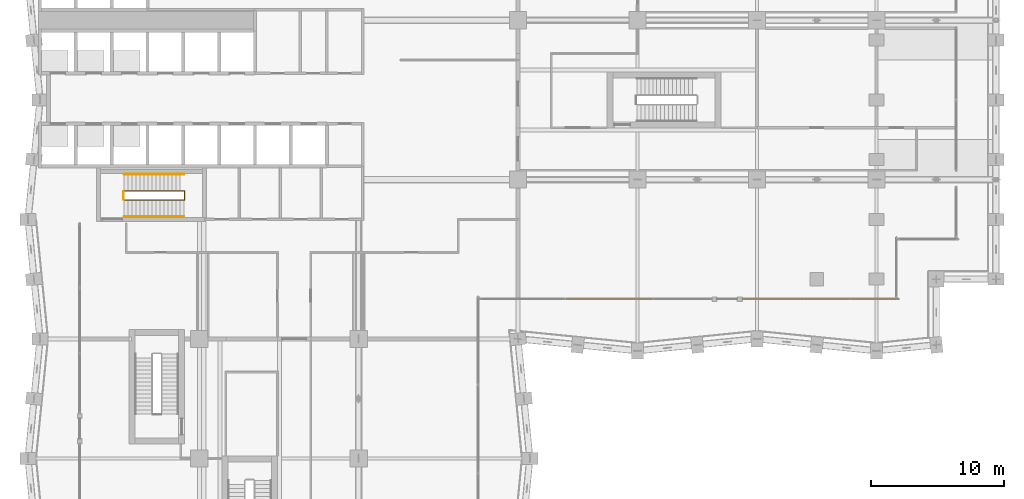
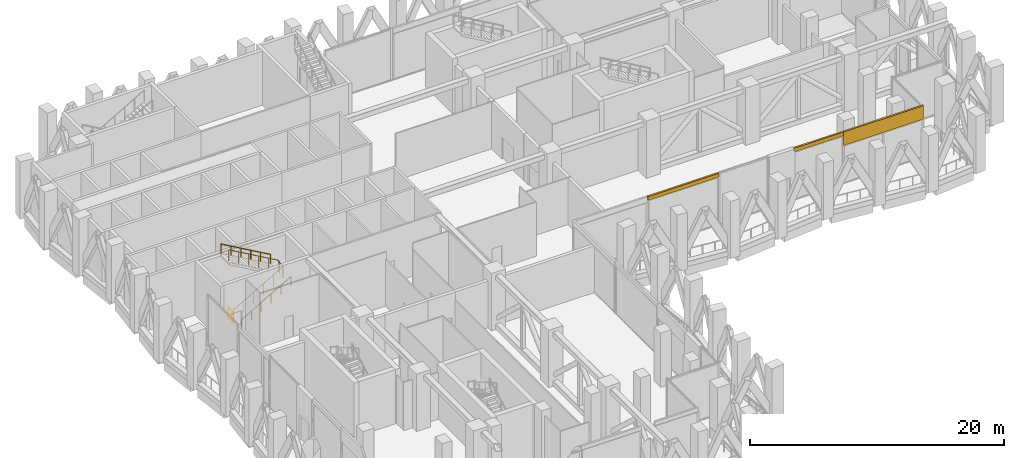
# One storey, part 34 of 37: 4 railings, 3 coverings.
"""IFC4 building model written with IfcOpenShell, lengths in metres."""

from ifc_helpers import new_model, si_unit, direction, frame, origin, origin_2d, place, context, subcontext, project, spatial, rectangle, circle, extrude, material, layer, layer_set, type_object, element, save


model = new_model("IFC4")

# Units and contexts
model_context = context("Model", 3, precision=1e-05, world=origin(), true_north=direction((0.0, 1.0)))
body_context = subcontext(model_context, "Body", "Model", "MODEL_VIEW")
ifc_project = project(units=[si_unit("LENGTHUNIT", "METRE"), si_unit("AREAUNIT", "SQUARE_METRE"), si_unit("VOLUMEUNIT", "CUBIC_METRE"), si_unit("PLANEANGLEUNIT", "RADIAN"), si_unit("MASSUNIT", "GRAM", prefix="KILO")], contexts=[model_context])

# Site, building, storey
site_placement = place(None, origin())
site = spatial("IfcSite", under=ifc_project, at=site_placement, CompositionType="ELEMENT")
building_placement = place(site_placement, origin())
building = spatial("IfcBuilding", under=site, at=building_placement, Name="Brondeck Convention Tower", CompositionType="ELEMENT")
storey_placement = place(building_placement, frame((0.0, 0.0, 137.89990234375)))
storey = spatial("IfcBuildingStorey", under=building, at=storey_placement, Name="L33", CompositionType="ELEMENT", Elevation=137.89990234375)

# Coverings
ifc_material_1 = material(Name="Aluminium, bronze anodised", Category="aluminium")
ifc_layer = layer(ifc_material_1, 0.10009765625)
ifc_layer_set = layer_set([ifc_layer], Name="Curtain wall spandrel panel, bronze anodised aluminium")
covering_type = type_object("IfcCoveringType", Name="Curtain wall spandrel panel, bronze anodised aluminium", PredefinedType="CLADDING", material=ifc_layer_set)
covering_1_placement = place(storey_placement, frame((42.876953125, 30.0, 4.650146484375), z_axis=(0.0, 0.0, 1.0), x_axis=(-1.0, 0.0, 0.0)))
element("IfcCovering", 1, at=covering_1_placement, inside=storey, type_object=covering_type, Name="ENV-L33-012-CW31-SP", PredefinedType="CLADDING", context=body_context, shape_type="SweptSolid", body=[
    extrude(rectangle(XDim=6.446044921875, YDim=0.159912109375, at=origin_2d()), origin(), (0.0, 0.0, 1.0), 0.35009765625),
])
covering_2_placement = place(storey_placement, frame((55.14990234375, 30.0, 4.650146484375), z_axis=(0.0, 0.0, 1.0), x_axis=(-1.0, 0.0, 0.0)))
element("IfcCovering", 2, at=covering_2_placement, inside=storey, type_object=covering_type, Name="ENV-L33-015-CW30-SP", PredefinedType="CLADDING", context=body_context, shape_type="SweptSolid", body=[
    extrude(rectangle(XDim=4.5, YDim=0.159912109375, at=origin_2d()), origin(), (0.0, 0.0, 1.0), 0.35009765625),
])
covering_3_placement = place(storey_placement, frame((61.02490234375, 30.0, 3.7001953125), z_axis=(0.0, 0.0, 1.0), x_axis=(-1.0, 0.0, 0.0)))
element("IfcCovering", 3, at=covering_3_placement, inside=storey, type_object=covering_type, Name="ENV-L33-016-CW30-SP", PredefinedType="CLADDING", context=body_context, shape_type="SweptSolid", body=[
    extrude(rectangle(XDim=7.25, YDim=0.159912109375, at=origin_2d()), origin(), (0.0, 0.0, 1.0), 1.300048828125),
])

# Railings
ifc_material_2 = material(Name="Steel S355", Category="steel")
railing_type_1 = type_object("IfcRailingType", Name="Stair guard 1100", PredefinedType="GUARDRAIL", material=ifc_material_2)
railing_1_placement = place(storey_placement, frame((6.35009765625, 37.449951171875, 0.171875)))
element("IfcRailing", 4, at=railing_1_placement, inside=storey, type_object=railing_type_1, Name="L33 ST-1 stair guard 1", PredefinedType="GUARDRAIL", context=body_context, shape_type="SweptSolid", body=[
    extrude(circle(Radius=0.02392578125, at=origin_2d()), frame((0.0, 0.0, 1.076171875), z_axis=(0.867686387293, 0.0, 0.49711199272), x_axis=(0.0, 1.0, 0.0)), (0.0, 0.0, 1.0), 5.186279296875),
    extrude(circle(Radius=0.02392578125, at=origin_2d()), frame((4.5, 0.0, 3.654296875), z_axis=(0.705375805398, 0.708833529934, 0.0), x_axis=(-0.708833529934, 0.705375805398, 0.0)), (0.0, 0.0, 1.0), 0.070556640625),
    extrude(circle(Radius=0.02392578125, at=origin_2d()), frame((4.5498046875, 0.050048828125, 3.654296875), z_axis=(0.0, 1.0, 0.0), x_axis=(-1.0, 0.0, 0.0)), (0.0, 0.0, 1.0), 0.60009765625),
    extrude(circle(Radius=0.02392578125, at=origin_2d()), frame((4.5498046875, 0.650146484375, 3.654296875), z_axis=(-0.268131537743, 0.268131537743, 0.92531667927), x_axis=(-0.707106781187, -0.707106781187, 0.0)), (0.0, 0.0, 1.0), 0.185791015625),
    extrude(circle(Radius=0.02392578125, at=origin_2d()), frame((4.5, 0.699951171875, 3.826171875), z_axis=(-0.867686387293, 0.0, 0.49711199272), x_axis=(0.0, -1.0, 0.0)), (0.0, 0.0, 1.0), 5.186279296875),
    extrude(circle(Radius=0.02099609375, at=origin_2d()), origin(), (0.0, 0.0, 1.0), 1.052001953125),
    extrude(circle(Radius=0.02099609375, at=origin_2d()), frame((0.89990234375, 0.0, 0.515625)), (0.0, 0.0, 1.0), 1.052001953125),
    extrude(circle(Radius=0.02099609375, at=origin_2d()), frame((1.800048828125, 0.0, 1.03125)), (0.0, 0.0, 1.0), 1.052001953125),
    extrude(circle(Radius=0.02099609375, at=origin_2d()), frame((2.699951171875, 0.0, 1.546875)), (0.0, 0.0, 1.0), 1.052001953125),
    extrude(circle(Radius=0.02099609375, at=origin_2d()), frame((3.60009765625, 0.0, 2.0625)), (0.0, 0.0, 1.0), 1.052001953125),
    extrude(circle(Radius=0.02099609375, at=origin_2d()), frame((4.5, 0.0, 2.578125)), (0.0, 0.0, 1.0), 1.052001953125),
    extrude(circle(Radius=0.02099609375, at=origin_2d()), frame((4.5498046875, 0.050048828125, 2.578125)), (0.0, 0.0, 1.0), 1.052001953125),
    extrude(circle(Radius=0.02099609375, at=origin_2d()), frame((4.5498046875, 0.650146484375, 2.578125)), (0.0, 0.0, 1.0), 1.052001953125),
    extrude(circle(Radius=0.02099609375, at=origin_2d()), frame((4.5, 0.699951171875, 2.75)), (0.0, 0.0, 1.0), 1.052001953125),
    extrude(circle(Radius=0.02099609375, at=origin_2d()), frame((3.60009765625, 0.699951171875, 3.265625)), (0.0, 0.0, 1.0), 1.052001953125),
    extrude(circle(Radius=0.02099609375, at=origin_2d()), frame((2.699951171875, 0.699951171875, 3.78125)), (0.0, 0.0, 1.0), 1.052001953125),
    extrude(circle(Radius=0.02099609375, at=origin_2d()), frame((1.800048828125, 0.699951171875, 4.296875)), (0.0, 0.0, 1.0), 1.052001953125),
    extrude(circle(Radius=0.02099609375, at=origin_2d()), frame((0.89990234375, 0.699951171875, 4.8125)), (0.0, 0.0, 1.0), 1.052001953125),
    extrude(circle(Radius=0.02099609375, at=origin_2d()), frame((0.0, 0.699951171875, 5.328125)), (0.0, 0.0, 1.0), 1.052001953125),
])
railing_2_placement = place(storey_placement, frame((6.300048828125, 37.5, 0.0)))
element("IfcRailing", 5, at=railing_2_placement, inside=storey, type_object=railing_type_1, Name="L33 ST-1 stair guard 2", PredefinedType="GUARDRAIL", context=body_context, shape_type="SweptSolid", body=[
    extrude(circle(Radius=0.02392578125, at=origin_2d()), frame((0.0, 0.0, 1.076171875), z_axis=(0.0, 1.0, 0.0), x_axis=(-1.0, 0.0, 0.0)), (0.0, 0.0, 1.0), 0.60009765625),
    extrude(circle(Radius=0.02099609375, at=origin_2d()), origin(), (0.0, 0.0, 1.0), 1.052001953125),
    extrude(circle(Radius=0.02099609375, at=origin_2d()), frame((0.0, 0.60009765625, 0.0)), (0.0, 0.0, 1.0), 1.052001953125),
])
railing_type_2 = type_object("IfcRailingType", Name="Stair handrail", PredefinedType="HANDRAIL", material=ifc_material_2)
railing_3_placement = place(storey_placement, frame((6.35009765625, 36.199951171875, 0.171875)))
element("IfcRailing", 6, at=railing_3_placement, inside=storey, type_object=railing_type_2, Name="L33 ST-1 stair handrail 1", PredefinedType="HANDRAIL", context=body_context, shape_type="SweptSolid", body=[
    extrude(circle(Radius=0.02392578125, at=origin_2d()), frame((0.0, 0.0, 0.8759765625), z_axis=(0.867686387293, 0.0, 0.49711199272), x_axis=(0.0, 1.0, 0.0)), (0.0, 0.0, 1.0), 5.186279296875),
    extrude(circle(Radius=0.02099609375, at=origin_2d()), origin(), (0.0, 0.0, 1.0), 0.851806640625),
    extrude(circle(Radius=0.02099609375, at=origin_2d()), frame((0.89990234375, 0.0, 0.515625)), (0.0, 0.0, 1.0), 0.851806640625),
    extrude(circle(Radius=0.02099609375, at=origin_2d()), frame((1.800048828125, 0.0, 1.03125)), (0.0, 0.0, 1.0), 0.851806640625),
    extrude(circle(Radius=0.02099609375, at=origin_2d()), frame((2.699951171875, 0.0, 1.546875)), (0.0, 0.0, 1.0), 0.851806640625),
    extrude(circle(Radius=0.02099609375, at=origin_2d()), frame((3.60009765625, 0.0, 2.0625)), (0.0, 0.0, 1.0), 0.851806640625),
    extrude(circle(Radius=0.02099609375, at=origin_2d()), frame((4.5, 0.0, 2.578125)), (0.0, 0.0, 1.0), 0.851806640625),
])
railing_4_placement = place(storey_placement, frame((10.85009765625, 39.39990234375, 2.921875)))
element("IfcRailing", 7, at=railing_4_placement, inside=storey, type_object=railing_type_2, Name="L33 ST-1 stair handrail 2", PredefinedType="HANDRAIL", context=body_context, shape_type="SweptSolid", body=[
    extrude(circle(Radius=0.02392578125, at=origin_2d()), frame((0.0, 0.0, 0.8759765625), z_axis=(-0.867686387293, 0.0, 0.49711199272), x_axis=(0.0, -1.0, 0.0)), (0.0, 0.0, 1.0), 5.186279296875),
    extrude(circle(Radius=0.02099609375, at=origin_2d()), origin(), (0.0, 0.0, 1.0), 0.851806640625),
    extrude(circle(Radius=0.02099609375, at=origin_2d()), frame((-0.89990234375, 0.0, 0.515625)), (0.0, 0.0, 1.0), 0.851806640625),
    extrude(circle(Radius=0.02099609375, at=origin_2d()), frame((-1.800048828125, 0.0, 1.03125)), (0.0, 0.0, 1.0), 0.851806640625),
    extrude(circle(Radius=0.02099609375, at=origin_2d()), frame((-2.699951171875, 0.0, 1.546875)), (0.0, 0.0, 1.0), 0.851806640625),
    extrude(circle(Radius=0.02099609375, at=origin_2d()), frame((-3.60009765625, 0.0, 2.0625)), (0.0, 0.0, 1.0), 0.851806640625),
    extrude(circle(Radius=0.02099609375, at=origin_2d()), frame((-4.5, 0.0, 2.578125)), (0.0, 0.0, 1.0), 0.851806640625),
])

save(model, "model.ifc")
